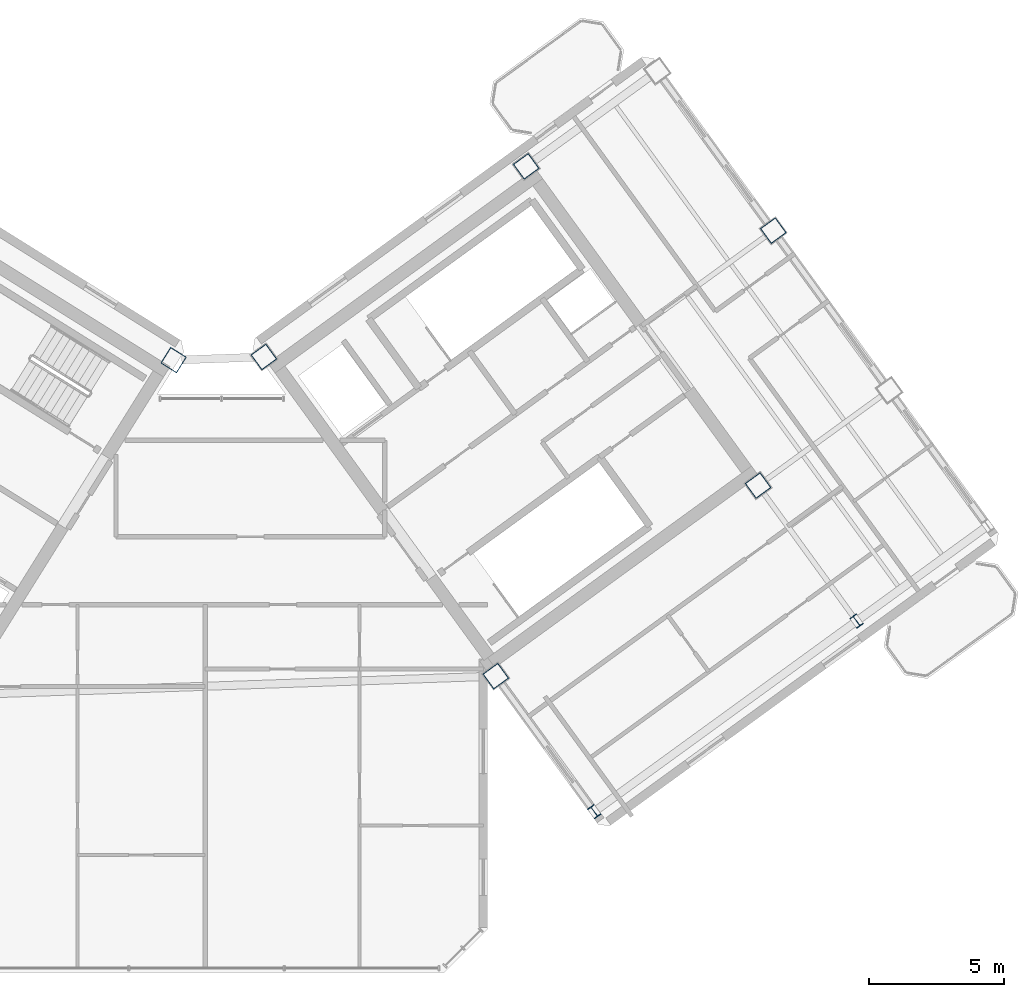
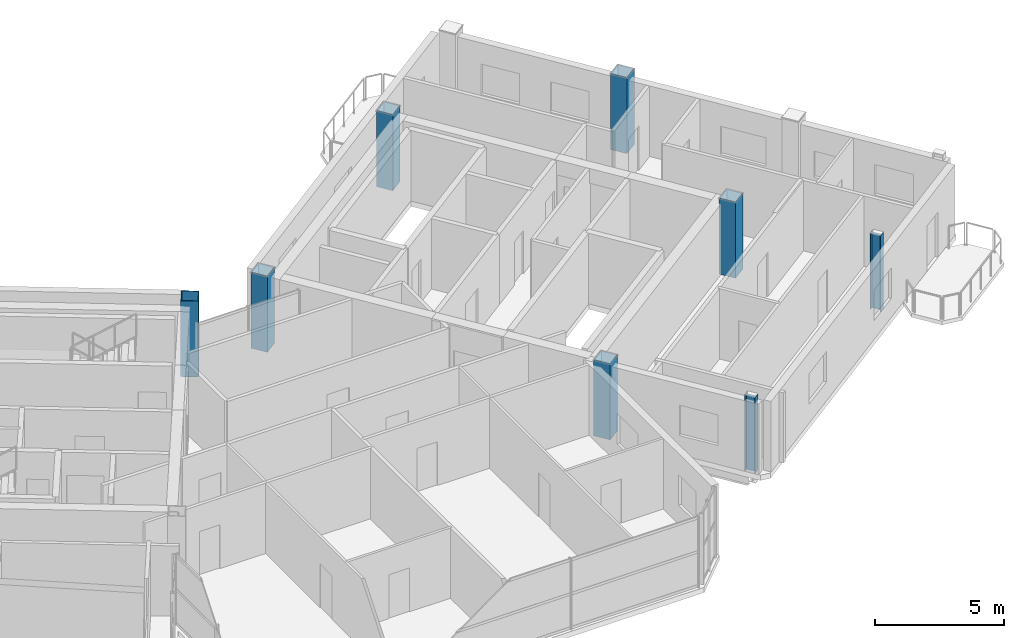
# One storey, part 2 of 25: 8 columns.
"""IFC4 building model written with IfcOpenShell, lengths in metres."""

from ifc_helpers import new_model, si_unit, direction, frame, origin, origin_2d, place, context, subcontext, project, spatial, hollow_rectangle, i_section, extrude, source, transform, mapped, material, material_profile, profile_set, type_object, element, save


model = new_model("IFC4")

# Units and contexts
model_context = context("Model", 3, precision=1e-05, world=origin(), true_north=direction((0.0, 1.0)))
body_context = subcontext(model_context, "Body", "Model", "MODEL_VIEW")
ifc_project = project(units=[si_unit("LENGTHUNIT", "METRE"), si_unit("AREAUNIT", "SQUARE_METRE"), si_unit("VOLUMEUNIT", "CUBIC_METRE"), si_unit("PLANEANGLEUNIT", "RADIAN"), si_unit("MASSUNIT", "GRAM", prefix="KILO")], contexts=[model_context])

# Site, building, storey
site_placement = place(None, origin())
site = spatial("IfcSite", under=ifc_project, at=site_placement, CompositionType="ELEMENT")
building_placement = place(site_placement, origin())
building = spatial("IfcBuilding", under=site, at=building_placement, Name="Tlacorven Tower", CompositionType="ELEMENT")
storey_placement = place(building_placement, frame((0.0, 0.0, 259.199951171875)))
storey = spatial("IfcBuildingStorey", under=building, at=storey_placement, Name="L65", CompositionType="ELEMENT", Elevation=259.199951171875)

# Columns
ifc_material_1 = material(Name="Steel S355J2", Category="steel")
ifc_material_profile_1 = material_profile(ifc_material_1, i_section(OverallWidth=0.300048828125, OverallDepth=0.449951171875, WebThickness=0.013916015625, FlangeThickness=0.02587890625, at=origin_2d()), Name="HEB 450")
ifc_profile_set_1 = profile_set([ifc_material_profile_1], Name="Steel S355J2")
column_type_1 = type_object("IfcColumnType", Name="COL-TWR-P3", PredefinedType="COLUMN", material=ifc_profile_set_1)
shared_shape_1 = source(origin(), body_context, "Body", "SweptSolid", [
    extrude(i_section(OverallWidth=0.300048828125, OverallDepth=0.449951171875, WebThickness=0.013916015625, FlangeThickness=0.02587890625, at=origin_2d()), origin(), (0.0, 0.0, 1.0), 3.60009765625),
])
for number, where, z_axis, x_axis, name in (
    (1, (56.349609375, 7.757568359375, 0.0), (0.0, 0.0, 1.0), (0.809016994375, 0.587785252292, 0.0), "L65 column COL-L65-E1-1"),
    (2, (66.057861328125, 14.81103515625, 0.0), (0.0, 0.0, 1.0), (0.809016994375, 0.587785252292, 0.0), "L65 column COL-L65-E3-1"),
):
    element("IfcColumn", number, at=place(storey_placement, frame(where, z_axis=z_axis, x_axis=x_axis)), inside=storey, type_object=column_type_1, Name=name, PredefinedType="COLUMN", context=body_context, shape_type="MappedRepresentation", body=[
        mapped(shared_shape_1, transform((0.0, 0.0, 0.0), scale=1.0)),
    ])
ifc_material_2 = material(Name="Steel S460M", Category="steel")
ifc_material_profile_2 = material_profile(ifc_material_2, hollow_rectangle(XDim=0.699951171875, YDim=0.699951171875, WallThickness=0.028076171875, at=origin_2d()), Name="BOX 700X700X28")
ifc_profile_set_2 = profile_set([ifc_material_profile_2], Name="Steel S460M")
column_type_2 = type_object("IfcColumnType", Name="COL-TWR-S4", PredefinedType="COLUMN", material=ifc_profile_set_2)
shared_shape_2 = source(origin(), body_context, "Body", "SweptSolid", [
    extrude(hollow_rectangle(XDim=0.699951171875, YDim=0.699951171875, WallThickness=0.028076171875, at=origin_2d()), origin(), (0.0, 0.0, 1.0), 3.60009765625),
])
for number, where, z_axis, x_axis, name in (
    (3, (40.782958984375, 24.468505859375, 0.0), (0.0, 0.0, 1.0), (-0.848048096156, 0.529919264233, 0.0), "L65 column COL-L65-W1-1"),
    (4, (52.705322265625, 12.7734375, 0.0), (0.0, 0.0, 1.0), (0.809016994375, 0.587785252292, 0.0), "L65 column COL-L65-E1-2"),
    (5, (44.123779296875, 24.5849609375, 0.0), (0.0, 0.0, 1.0), (0.809016994375, 0.587785252292, 0.0), "L65 column COL-L65-E1-4"),
    (6, (62.41357421875, 19.826904296875, 0.0), (0.0, 0.0, 1.0), (0.809016994375, 0.587785252292, 0.0), "L65 column COL-L65-E3-2"),
    (7, (53.83203125, 31.638427734375, 0.0), (0.0, 0.0, 1.0), (0.809016994375, 0.587785252292, 0.0), "L65 column COL-L65-E3-4"),
    (8, (62.976806640625, 29.25927734375, 0.0), (0.0, 0.0, 1.0), (0.809016994375, 0.587785252292, 0.0), "L65 column COL-L65-E4-3"),
):
    element("IfcColumn", number, at=place(storey_placement, frame(where, z_axis=z_axis, x_axis=x_axis)), inside=storey, type_object=column_type_2, Name=name, PredefinedType="COLUMN", context=body_context, shape_type="MappedRepresentation", body=[
        mapped(shared_shape_2, transform((0.0, 0.0, 0.0), scale=1.0)),
    ])

save(model, "model.ifc")
